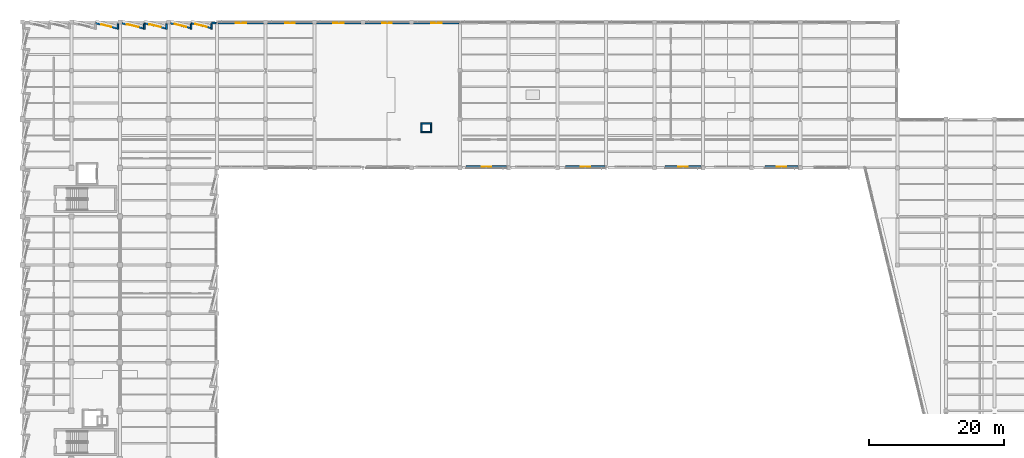
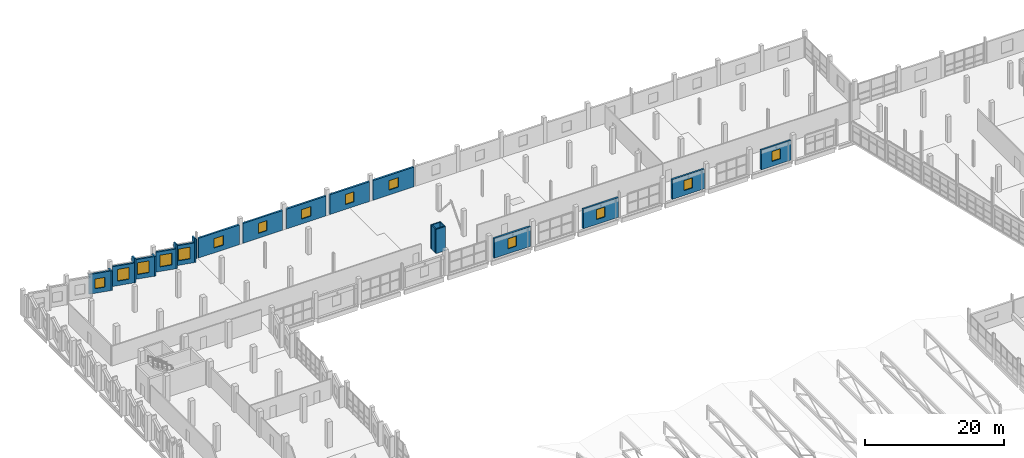
# One storey, part 95 of 123: 24 walls, 14 windows, 14 openings.
"""IFC4 building model written with IfcOpenShell, lengths in metres."""

from ifc_helpers import new_model, si_unit, direction, frame, frame_2d, origin, place, context, subcontext, project, spatial, rectangle, extrude, material, layer, layer_set, type_object, element, fill, save


model = new_model("IFC4")

# Units and contexts
model_context = context("Model", 3, precision=1e-05, world=origin(), true_north=direction((0.0, 1.0)))
body_context = subcontext(model_context, "Body", "Model", "MODEL_VIEW")
ifc_project = project(units=[si_unit("LENGTHUNIT", "METRE"), si_unit("AREAUNIT", "SQUARE_METRE"), si_unit("VOLUMEUNIT", "CUBIC_METRE"), si_unit("PLANEANGLEUNIT", "RADIAN"), si_unit("MASSUNIT", "GRAM", prefix="KILO")], contexts=[model_context])

# Site, building, storey
site_placement = place(None, origin())
site = spatial("IfcSite", under=ifc_project, at=site_placement, CompositionType="ELEMENT")
building_placement = place(site_placement, origin())
building = spatial("IfcBuilding", under=site, at=building_placement, Name="Kalmorath City Hall", CompositionType="ELEMENT")
storey_placement = place(building_placement, frame((0.0, 0.0, 10.199951171875)))
storey = spatial("IfcBuildingStorey", under=building, at=storey_placement, Name="L02", CompositionType="ELEMENT", Elevation=10.199951171875)

# Walls
ifc_material_1 = material(Name="Concrete C40/50", Category="concrete")
ifc_layer_1 = layer(ifc_material_1, 0.199951171875)
ifc_layer_set_1 = layer_set([ifc_layer_1], Name="Concrete C40/50")
wall_type_1 = type_object("IfcWallType", Name="Concrete service riser wall 200", PredefinedType="SOLIDWALL", material=ifc_layer_set_1)
for number, where, z_axis, x_axis, name in (
    (1, (59.0, 98.89990234375, 0.0), (0.0, 0.0, 1.0), (1.0, 0.0, 0.0), "L02 RSR-4 riser shaft wall S"),
    (2, (60.60009765625, 100.179931640625, 0.0), (0.0, 0.0, 1.0), (-1.0, 0.0, 0.0), "L02 RSR-4 riser shaft wall N"),
):
    element("IfcWall", number, at=place(storey_placement, frame(where, z_axis=z_axis, x_axis=x_axis)), inside=storey, type_object=wall_type_1, Name=name, PredefinedType="SOLIDWALL", context=body_context, shape_type="SweptSolid", body=[
        extrude(rectangle(XDim=1.60009765625, YDim=0.199951171875, at=frame_2d((0.800048828125, 0.0))), origin(), (0.0, 0.0, 1.0), 4.239990234375),
    ])
for number, where, z_axis, x_axis, name in (
    (3, (59.10009765625, 100.080078125, 0.0), (0.0, 0.0, 1.0), (0.0, -1.0, 0.0), "L02 RSR-4 riser shaft wall W"),
    (4, (60.5, 99.0, 0.0), (0.0, 0.0, 1.0), (0.0, 1.0, 0.0), "L02 RSR-4 riser shaft wall E"),
):
    element("IfcWall", number, at=place(storey_placement, frame(where, z_axis=z_axis, x_axis=x_axis)), inside=storey, type_object=wall_type_1, Name=name, PredefinedType="SOLIDWALL", context=body_context, shape_type="SweptSolid", body=[
        extrude(rectangle(XDim=1.080078125, YDim=0.199951171875, at=frame_2d((0.5400390625, 0.0))), origin(), (0.0, 0.0, 1.0), 4.239990234375),
    ])
ifc_material_2 = material(Name="Precast concrete C40/50", Category="concrete")
ifc_layer_2 = layer(ifc_material_2, 0.239990234375)
ifc_layer_set_2 = layer_set([ifc_layer_2], Name="Precast concrete C40/50")
wall_type_2 = type_object("IfcWallType", Name="Precast sawtooth cheek wall 240", PredefinedType="SOLIDWALL", material=ifc_layer_set_2)
wall_1_placement = place(storey_placement, frame((14.09912109375, 114.10302734375, 0.0), z_axis=(0.0, 0.0, 1.0), x_axis=(0.0, 1.0, 0.0)))
element("IfcWall", 5, at=wall_1_placement, inside=storey, type_object=wall_type_2, Name="L02 sawtooth return cheek #422", PredefinedType="SOLIDWALL", context=body_context, shape_type="SweptSolid", body=[
    extrude(rectangle(XDim=0.804931640625, YDim=0.239990234375, at=frame_2d((0.40234375, 0.0))), origin(), (0.0, 0.0, 1.0), 3.450927734375),
])
wall_2_placement = place(storey_placement, frame((18.0, 114.10302734375, 0.0), z_axis=(0.0, 0.0, 1.0), x_axis=(0.0, 1.0, 0.0)))
element("IfcWall", 6, at=wall_2_placement, inside=storey, type_object=wall_type_2, Name="L02 sawtooth return cheek #424", PredefinedType="SOLIDWALL", context=body_context, shape_type="SweptSolid", body=[
    extrude(rectangle(XDim=0.804931640625, YDim=0.239990234375, at=frame_2d((0.40234375, 0.0))), origin(), (0.0, 0.0, 1.0), 4.239990234375),
])
wall_3_placement = place(storey_placement, frame((21.299072265625, 114.10302734375, 0.0), z_axis=(0.0, 0.0, 1.0), x_axis=(0.0, 1.0, 0.0)))
element("IfcWall", 7, at=wall_3_placement, inside=storey, type_object=wall_type_2, Name="L02 sawtooth return cheek #426", PredefinedType="SOLIDWALL", context=body_context, shape_type="SweptSolid", body=[
    extrude(rectangle(XDim=0.804931640625, YDim=0.239990234375, at=frame_2d((0.40234375, 0.0))), origin(), (0.0, 0.0, 1.0), 3.450927734375),
])
wall_4_placement = place(storey_placement, frame((24.946533203125, 114.163818359375, 0.0), z_axis=(0.0, 0.0, 1.0), x_axis=(0.0, 1.0, 0.0)))
element("IfcWall", 8, at=wall_4_placement, inside=storey, type_object=wall_type_2, Name="L02 sawtooth return cheek #429", PredefinedType="SOLIDWALL", context=body_context, shape_type="SweptSolid", body=[
    extrude(rectangle(XDim=0.744140625, YDim=0.239990234375, at=frame_2d((0.3720703125, 0.0))), origin(), (0.0, 0.0, 1.0), 4.239990234375),
])
wall_5_placement = place(storey_placement, frame((27.991943359375, 114.163818359375, 0.0), z_axis=(0.0, 0.0, 1.0), x_axis=(0.0, 1.0, 0.0)))
element("IfcWall", 9, at=wall_5_placement, inside=storey, type_object=wall_type_2, Name="L02 sawtooth return cheek #431", PredefinedType="SOLIDWALL", context=body_context, shape_type="SweptSolid", body=[
    extrude(rectangle(XDim=0.754150390625, YDim=0.239990234375, at=frame_2d((0.376953125, 0.0))), origin(), (0.0, 0.0, 1.0), 4.239990234375),
])

# Wall, opening, window
ifc_material_3 = material(Name="Precast concrete C40/50", Category="concrete")
ifc_layer_3 = layer(ifc_material_3, 0.280029296875)
ifc_layer_set_3 = layer_set([ifc_layer_3], Name="Precast concrete C40/50")
wall_type_3 = type_object("IfcWallType", Name="Precast sawtooth facade wall 280", PredefinedType="SOLIDWALL", material=ifc_layer_set_3)
wall_6_placement = place(storey_placement, frame((10.800048828125, 115.0400390625, 0.0), z_axis=(0.0, 0.0, 1.0), x_axis=(0.972373187667, -0.23343175428, 0.0)))
wall_6 = element("IfcWall", 10, at=wall_6_placement, inside=storey, type_object=wall_type_3, Name="L02 sawtooth precast frame #421", PredefinedType="SOLIDWALL", context=body_context, shape_type="SweptSolid", body=[
    extrude(rectangle(XDim=3.297607421875, YDim=0.280029296875, at=frame_2d((1.64892578125, 0.0))), origin(), (0.0, 0.0, 1.0), 3.450927734375),
])
opening_1_placement = place(wall_6_placement, frame((0.89892578125, 0.0, 0.800048828125)))
opening_1 = element("IfcOpeningElement", 11, at=opening_1_placement, cuts=wall_6, Name="Opening WN7", PredefinedType="OPENING", context=body_context, shape_type="SweptSolid", body=[
    extrude(rectangle(XDim=1.5, YDim=1.699951171875, at=frame_2d((0.75, 0.85009765625))), frame((0.0, 0.14990234375, 0.0), z_axis=(0.0, -1.0, 0.0), x_axis=(1.0, 0.0, 0.0)), (0.0, 0.0, 1.0), 0.300048828125),
])
ifc_material_4 = material(Name="Aluminium and laminated glass", Category="aluminium")
window_type_1 = type_object("IfcWindowType", Name="Sawtooth top storey window 1500x1700", PartitioningType="SINGLE_PANEL", PredefinedType="WINDOW", material=ifc_material_4)
window_1_placement = place(opening_1_placement, origin())
window_1 = element("IfcWindow", 12, at=window_1_placement, inside=storey, type_object=window_type_1, Name="L02 window WN7-202", OverallHeight=1.699951171875, OverallWidth=1.5, PartitioningType="SINGLE_PANEL", PredefinedType="WINDOW", context=body_context, shape_type="SweptSolid", body=[
    extrude(rectangle(XDim=1.5, YDim=1.699951171875, at=frame_2d((0.75, 0.85009765625))), frame((0.0, 0.030029296875, 0.0), z_axis=(0.0, -1.0, 0.0), x_axis=(1.0, 0.0, 0.0)), (0.0, 0.0, 1.0), 0.06005859375),
])
fill(opening_1, window_1)

wall_7_placement = place(storey_placement, frame((14.700927734375, 115.0400390625, 0.0), z_axis=(0.0, 0.0, 1.0), x_axis=(0.972377221417, -0.233414950828, 0.0)))
wall_7 = element("IfcWall", 13, at=wall_7_placement, inside=storey, type_object=wall_type_3, Name="L02 sawtooth precast frame #423", PredefinedType="SOLIDWALL", context=body_context, shape_type="SweptSolid", body=[
    extrude(rectangle(XDim=3.2978515625, YDim=0.280029296875, at=frame_2d((1.64892578125, 0.0))), origin(), (0.0, 0.0, 1.0), 3.470947265625),
])
opening_2_placement = place(wall_7_placement, frame((0.77392578125, 0.0, 0.800048828125)))
opening_2 = element("IfcOpeningElement", 14, at=opening_2_placement, cuts=wall_7, Name="Opening WN1", PredefinedType="OPENING", context=body_context, shape_type="SweptSolid", body=[
    extrude(rectangle(XDim=1.75, YDim=2.050048828125, at=frame_2d((0.875, 1.02490234375))), frame((0.0, 0.14990234375, 0.0), z_axis=(0.0, -1.0, 0.0), x_axis=(1.0, 0.0, 0.0)), (0.0, 0.0, 1.0), 0.300048828125),
])
ifc_material_5 = material(Name="Aluminium and laminated glass", Category="aluminium")
window_type_2 = type_object("IfcWindowType", Name="Sawtooth hurricane window 1750x2050", PartitioningType="SINGLE_PANEL", PredefinedType="WINDOW", material=ifc_material_5)
window_2_placement = place(opening_2_placement, origin())
window_2 = element("IfcWindow", 15, at=window_2_placement, inside=storey, type_object=window_type_2, Name="L02 window WN1-203", OverallHeight=2.050048828125, OverallWidth=1.75, PartitioningType="SINGLE_PANEL", PredefinedType="WINDOW", context=body_context, shape_type="SweptSolid", body=[
    extrude(rectangle(XDim=1.75, YDim=2.050048828125, at=frame_2d((0.875, 1.02490234375))), frame((0.0, 0.030029296875, 0.0), z_axis=(0.0, -1.0, 0.0), x_axis=(1.0, 0.0, 0.0)), (0.0, 0.0, 1.0), 0.06005859375),
])
fill(opening_2, window_2)

wall_8_placement = place(storey_placement, frame((18.0, 115.0400390625, 0.0), z_axis=(0.0, 0.0, 1.0), x_axis=(0.972373187667, -0.23343175428, 0.0)))
wall_8 = element("IfcWall", 16, at=wall_8_placement, inside=storey, type_object=wall_type_3, Name="L02 sawtooth precast frame #425", PredefinedType="SOLIDWALL", context=body_context, shape_type="SweptSolid", body=[
    extrude(rectangle(XDim=3.297607421875, YDim=0.280029296875, at=frame_2d((1.64892578125, 0.0))), origin(), (0.0, 0.0, 1.0), 3.450927734375),
])
opening_3_placement = place(wall_8_placement, frame((0.77392578125, 0.0, 0.800048828125)))
opening_3 = element("IfcOpeningElement", 17, at=opening_3_placement, cuts=wall_8, Name="Opening WN1", PredefinedType="OPENING", context=body_context, shape_type="SweptSolid", body=[
    extrude(rectangle(XDim=1.75, YDim=2.050048828125, at=frame_2d((0.875, 1.02490234375))), frame((0.0, 0.14990234375, 0.0), z_axis=(0.0, -1.0, 0.0), x_axis=(1.0, 0.0, 0.0)), (0.0, 0.0, 1.0), 0.300048828125),
])
window_3_placement = place(opening_3_placement, origin())
window_3 = element("IfcWindow", 18, at=window_3_placement, inside=storey, type_object=window_type_2, Name="L02 window WN1-204", OverallHeight=2.050048828125, OverallWidth=1.75, PartitioningType="SINGLE_PANEL", PredefinedType="WINDOW", context=body_context, shape_type="SweptSolid", body=[
    extrude(rectangle(XDim=1.75, YDim=2.050048828125, at=frame_2d((0.875, 1.02490234375))), frame((0.0, 0.030029296875, 0.0), z_axis=(0.0, -1.0, 0.0), x_axis=(1.0, 0.0, 0.0)), (0.0, 0.0, 1.0), 0.06005859375),
])
fill(opening_3, window_3)

wall_9_placement = place(storey_placement, frame((21.90087890625, 115.0400390625, 0.0), z_axis=(0.0, 0.0, 1.0), x_axis=(0.972369786639, -0.233445920999, 0.0)))
wall_9 = element("IfcWall", 19, at=wall_9_placement, inside=storey, type_object=wall_type_3, Name="L02 sawtooth precast frame #428", PredefinedType="SOLIDWALL", context=body_context, shape_type="SweptSolid", body=[
    extrude(rectangle(XDim=3.037109375, YDim=0.280029296875, at=frame_2d((1.5185546875, 0.0))), origin(), (0.0, 0.0, 1.0), 3.470947265625),
])
opening_4_placement = place(wall_9_placement, frame((0.6435546875, 0.0, 0.800048828125)))
opening_4 = element("IfcOpeningElement", 20, at=opening_4_placement, cuts=wall_9, Name="Opening WN1", PredefinedType="OPENING", context=body_context, shape_type="SweptSolid", body=[
    extrude(rectangle(XDim=1.75, YDim=2.050048828125, at=frame_2d((0.875, 1.02490234375))), frame((0.0, 0.14990234375, 0.0), z_axis=(0.0, -1.0, 0.0), x_axis=(1.0, 0.0, 0.0)), (0.0, 0.0, 1.0), 0.300048828125),
])
window_4_placement = place(opening_4_placement, origin())
window_4 = element("IfcWindow", 21, at=window_4_placement, inside=storey, type_object=window_type_2, Name="L02 window WN1-205", OverallHeight=2.050048828125, OverallWidth=1.75, PartitioningType="SINGLE_PANEL", PredefinedType="WINDOW", context=body_context, shape_type="SweptSolid", body=[
    extrude(rectangle(XDim=1.75, YDim=2.050048828125, at=frame_2d((0.875, 1.02490234375))), frame((0.0, 0.030029296875, 0.0), z_axis=(0.0, -1.0, 0.0), x_axis=(1.0, 0.0, 0.0)), (0.0, 0.0, 1.0), 0.06005859375),
])
fill(opening_4, window_4)

wall_10_placement = place(storey_placement, frame((24.946533203125, 115.0400390625, 0.0), z_axis=(0.0, 0.0, 1.0), x_axis=(0.972369786639, -0.233445920999, 0.0)))
wall_10 = element("IfcWall", 22, at=wall_10_placement, inside=storey, type_object=wall_type_3, Name="L02 sawtooth precast frame #430", PredefinedType="SOLIDWALL", context=body_context, shape_type="SweptSolid", body=[
    extrude(rectangle(XDim=3.037109375, YDim=0.280029296875, at=frame_2d((1.5185546875, 0.0))), origin(), (0.0, 0.0, 1.0), 3.470947265625),
])
opening_5_placement = place(wall_10_placement, frame((0.6435546875, 0.0, 0.800048828125)))
opening_5 = element("IfcOpeningElement", 23, at=opening_5_placement, cuts=wall_10, Name="Opening WN1", PredefinedType="OPENING", context=body_context, shape_type="SweptSolid", body=[
    extrude(rectangle(XDim=1.75, YDim=2.050048828125, at=frame_2d((0.875, 1.02490234375))), frame((0.0, 0.14990234375, 0.0), z_axis=(0.0, -1.0, 0.0), x_axis=(1.0, 0.0, 0.0)), (0.0, 0.0, 1.0), 0.300048828125),
])
window_5_placement = place(opening_5_placement, origin())
window_5 = element("IfcWindow", 24, at=window_5_placement, inside=storey, type_object=window_type_2, Name="L02 window WN1-206", OverallHeight=2.050048828125, OverallWidth=1.75, PartitioningType="SINGLE_PANEL", PredefinedType="WINDOW", context=body_context, shape_type="SweptSolid", body=[
    extrude(rectangle(XDim=1.75, YDim=2.050048828125, at=frame_2d((0.875, 1.02490234375))), frame((0.0, 0.030029296875, 0.0), z_axis=(0.0, -1.0, 0.0), x_axis=(1.0, 0.0, 0.0)), (0.0, 0.0, 1.0), 0.06005859375),
])
fill(opening_5, window_5)

# Wall
ifc_material_6 = material(Name="Precast concrete C40/50", Category="concrete")
ifc_layer_4 = layer(ifc_material_6, 0.260009765625)
ifc_layer_set_4 = layer_set([ifc_layer_4], Name="Precast concrete C40/50")
wall_type_4 = type_object("IfcWallType", Name="Precast sawtooth return wall 260", PredefinedType="SOLIDWALL", material=ifc_layer_set_4)
wall_11_placement = place(storey_placement, frame((27.991943359375, 115.0400390625, 0.0), z_axis=(0.0, 0.0, 1.0), x_axis=(1.0, 0.0, 0.0)))
element("IfcWall", 25, at=wall_11_placement, inside=storey, type_object=wall_type_4, Name="L02 corner pier wall #427", PredefinedType="SOLIDWALL", context=body_context, shape_type="SweptSolid", body=[
    extrude(rectangle(XDim=0.68017578125, YDim=0.260009765625, at=frame_2d((0.340087890625, 0.0))), origin(), (0.0, 0.0, 1.0), 3.450927734375),
])

# Wall, opening, window
ifc_material_7 = material(Name="Concrete C40/50", Category="concrete")
ifc_layer_5 = layer(ifc_material_7, 0.300048828125)
ifc_layer_set_5 = layer_set([ifc_layer_5], Name="Concrete C40/50")
wall_type_5 = type_object("IfcWallType", Name="Volcanic basalt backup wall 300", PredefinedType="SOLIDWALL", material=ifc_layer_set_5)
wall_12_placement = place(storey_placement, frame((28.927978515625, 115.0400390625, 0.0), z_axis=(0.0, 0.0, 1.0), x_axis=(1.0, 0.0, 0.0)))
wall_12 = element("IfcWall", 26, at=wall_12_placement, inside=storey, type_object=wall_type_5, Name="L02 basalt wing wall #432", PredefinedType="SOLIDWALL", context=body_context, shape_type="SweptSolid", body=[
    extrude(rectangle(XDim=6.77099609375, YDim=0.300048828125, at=frame_2d((3.385498046875, 0.0))), origin(), (0.0, 0.0, 1.0), 3.450927734375),
])
opening_6_placement = place(wall_12_placement, frame((2.610595703125, 0.0, 0.85009765625)))
opening_6 = element("IfcOpeningElement", 27, at=opening_6_placement, cuts=wall_12, Name="Opening WN10", PredefinedType="OPENING", context=body_context, shape_type="SweptSolid", body=[
    extrude(rectangle(XDim=1.550048828125, YDim=1.64990234375, at=frame_2d((0.77490234375, 0.824951171875))), frame((0.0, 0.159912109375, 0.0), z_axis=(0.0, -1.0, 0.0), x_axis=(1.0, 0.0, 0.0)), (0.0, 0.0, 1.0), 0.320068359375),
])
ifc_material_8 = material(Name="Bronze-anodised aluminium and glass", Category="aluminium")
window_type_3 = type_object("IfcWindowType", Name="Basalt upper window 1550x1650", PartitioningType="SINGLE_PANEL", PredefinedType="WINDOW", material=ifc_material_8)
window_6_placement = place(opening_6_placement, origin())
window_6 = element("IfcWindow", 28, at=window_6_placement, inside=storey, type_object=window_type_3, Name="L02 window WN10-207", OverallHeight=1.64990234375, OverallWidth=1.550048828125, PartitioningType="SINGLE_PANEL", PredefinedType="WINDOW", context=body_context, shape_type="SweptSolid", body=[
    extrude(rectangle(XDim=1.550048828125, YDim=1.64990234375, at=frame_2d((0.77490234375, 0.824951171875))), frame((0.0, 0.030029296875, 0.0), z_axis=(0.0, -1.0, 0.0), x_axis=(1.0, 0.0, 0.0)), (0.0, 0.0, 1.0), 0.06005859375),
])
fill(opening_6, window_6)

wall_13_placement = place(storey_placement, frame((36.301025390625, 115.0400390625, 0.0), z_axis=(0.0, 0.0, 1.0), x_axis=(1.0, 0.0, 0.0)))
wall_13 = element("IfcWall", 29, at=wall_13_placement, inside=storey, type_object=wall_type_5, Name="L02 basalt wing wall #433", PredefinedType="SOLIDWALL", context=body_context, shape_type="SweptSolid", body=[
    extrude(rectangle(XDim=6.597900390625, YDim=0.300048828125, at=frame_2d((3.298828125, 0.0))), origin(), (0.0, 0.0, 1.0), 3.470947265625),
])
opening_7_placement = place(wall_13_placement, frame((2.59912109375, 0.0, 0.85009765625)))
opening_7 = element("IfcOpeningElement", 30, at=opening_7_placement, cuts=wall_13, Name="Opening WN11", PredefinedType="OPENING", context=body_context, shape_type="SweptSolid", body=[
    extrude(rectangle(XDim=1.39990234375, YDim=1.75, at=frame_2d((0.699951171875, 0.875))), frame((0.0, 0.159912109375, 0.0), z_axis=(0.0, -1.0, 0.0), x_axis=(1.0, 0.0, 0.0)), (0.0, 0.0, 1.0), 0.320068359375),
])
ifc_material_9 = material(Name="Bronze-anodised aluminium and glass", Category="aluminium")
window_type_4 = type_object("IfcWindowType", Name="Basalt north study window 1400x1750", PartitioningType="SINGLE_PANEL", PredefinedType="WINDOW", material=ifc_material_9)
window_7_placement = place(opening_7_placement, origin())
window_7 = element("IfcWindow", 31, at=window_7_placement, inside=storey, type_object=window_type_4, Name="L02 window WN11-208", OverallHeight=1.75, OverallWidth=1.39990234375, PartitioningType="SINGLE_PANEL", PredefinedType="WINDOW", context=body_context, shape_type="SweptSolid", body=[
    extrude(rectangle(XDim=1.39990234375, YDim=1.75, at=frame_2d((0.699951171875, 0.875))), frame((0.0, 0.030029296875, 0.0), z_axis=(0.0, -1.0, 0.0), x_axis=(1.0, 0.0, 0.0)), (0.0, 0.0, 1.0), 0.06005859375),
])
fill(opening_7, window_7)

wall_14_placement = place(storey_placement, frame((43.5009765625, 115.0400390625, 0.0), z_axis=(0.0, 0.0, 1.0), x_axis=(1.0, 0.0, 0.0)))
wall_14 = element("IfcWall", 32, at=wall_14_placement, inside=storey, type_object=wall_type_5, Name="L02 basalt wing wall #434", PredefinedType="SOLIDWALL", context=body_context, shape_type="SweptSolid", body=[
    extrude(rectangle(XDim=6.59814453125, YDim=0.300048828125, at=frame_2d((3.299072265625, 0.0))), origin(), (0.0, 0.0, 1.0), 3.470947265625),
])
opening_8_placement = place(wall_14_placement, frame((2.52392578125, 0.0, 0.85009765625)))
opening_8 = element("IfcOpeningElement", 33, at=opening_8_placement, cuts=wall_14, Name="Opening WN10", PredefinedType="OPENING", context=body_context, shape_type="SweptSolid", body=[
    extrude(rectangle(XDim=1.550048828125, YDim=1.64990234375, at=frame_2d((0.77490234375, 0.824951171875))), frame((0.0, 0.159912109375, 0.0), z_axis=(0.0, -1.0, 0.0), x_axis=(1.0, 0.0, 0.0)), (0.0, 0.0, 1.0), 0.320068359375),
])
window_8_placement = place(opening_8_placement, origin())
window_8 = element("IfcWindow", 34, at=window_8_placement, inside=storey, type_object=window_type_3, Name="L02 window WN10-209", OverallHeight=1.64990234375, OverallWidth=1.550048828125, PartitioningType="SINGLE_PANEL", PredefinedType="WINDOW", context=body_context, shape_type="SweptSolid", body=[
    extrude(rectangle(XDim=1.550048828125, YDim=1.64990234375, at=frame_2d((0.77490234375, 0.824951171875))), frame((0.0, 0.030029296875, 0.0), z_axis=(0.0, -1.0, 0.0), x_axis=(1.0, 0.0, 0.0)), (0.0, 0.0, 1.0), 0.06005859375),
])
fill(opening_8, window_8)

wall_15_placement = place(storey_placement, frame((50.700927734375, 115.0400390625, 0.0), z_axis=(0.0, 0.0, 1.0), x_axis=(1.0, 0.0, 0.0)))
wall_15 = element("IfcWall", 35, at=wall_15_placement, inside=storey, type_object=wall_type_5, Name="L02 basalt wing wall #435", PredefinedType="SOLIDWALL", context=body_context, shape_type="SweptSolid", body=[
    extrude(rectangle(XDim=6.59814453125, YDim=0.300048828125, at=frame_2d((3.299072265625, 0.0))), origin(), (0.0, 0.0, 1.0), 3.470947265625),
])
opening_9_placement = place(wall_15_placement, frame((2.59912109375, 0.0, 0.85009765625)))
opening_9 = element("IfcOpeningElement", 36, at=opening_9_placement, cuts=wall_15, Name="Opening WN11", PredefinedType="OPENING", context=body_context, shape_type="SweptSolid", body=[
    extrude(rectangle(XDim=1.39990234375, YDim=1.75, at=frame_2d((0.699951171875, 0.875))), frame((0.0, 0.159912109375, 0.0), z_axis=(0.0, -1.0, 0.0), x_axis=(1.0, 0.0, 0.0)), (0.0, 0.0, 1.0), 0.320068359375),
])
window_9_placement = place(opening_9_placement, origin())
window_9 = element("IfcWindow", 37, at=window_9_placement, inside=storey, type_object=window_type_4, Name="L02 window WN11-210", OverallHeight=1.75, OverallWidth=1.39990234375, PartitioningType="SINGLE_PANEL", PredefinedType="WINDOW", context=body_context, shape_type="SweptSolid", body=[
    extrude(rectangle(XDim=1.39990234375, YDim=1.75, at=frame_2d((0.699951171875, 0.875))), frame((0.0, 0.030029296875, 0.0), z_axis=(0.0, -1.0, 0.0), x_axis=(1.0, 0.0, 0.0)), (0.0, 0.0, 1.0), 0.06005859375),
])
fill(opening_9, window_9)

wall_16_placement = place(storey_placement, frame((57.90087890625, 115.0400390625, 0.0), z_axis=(0.0, 0.0, 1.0), x_axis=(1.0, 0.0, 0.0)))
wall_16 = element("IfcWall", 38, at=wall_16_placement, inside=storey, type_object=wall_type_5, Name="L02 basalt wing wall #436", PredefinedType="SOLIDWALL", context=body_context, shape_type="SweptSolid", body=[
    extrude(rectangle(XDim=6.771240234375, YDim=0.300048828125, at=frame_2d((3.3857421875, 0.0))), origin(), (0.0, 0.0, 1.0), 3.450927734375),
])
opening_10_placement = place(wall_16_placement, frame((2.610595703125, 0.0, 0.85009765625)))
opening_10 = element("IfcOpeningElement", 39, at=opening_10_placement, cuts=wall_16, Name="Opening WN10", PredefinedType="OPENING", context=body_context, shape_type="SweptSolid", body=[
    extrude(rectangle(XDim=1.550048828125, YDim=1.64990234375, at=frame_2d((0.77490234375, 0.824951171875))), frame((0.0, 0.159912109375, 0.0), z_axis=(0.0, -1.0, 0.0), x_axis=(1.0, 0.0, 0.0)), (0.0, 0.0, 1.0), 0.320068359375),
])
window_10_placement = place(opening_10_placement, origin())
window_10 = element("IfcWindow", 40, at=window_10_placement, inside=storey, type_object=window_type_3, Name="L02 window WN10-211", OverallHeight=1.64990234375, OverallWidth=1.550048828125, PartitioningType="SINGLE_PANEL", PredefinedType="WINDOW", context=body_context, shape_type="SweptSolid", body=[
    extrude(rectangle(XDim=1.550048828125, YDim=1.64990234375, at=frame_2d((0.77490234375, 0.824951171875))), frame((0.0, 0.030029296875, 0.0), z_axis=(0.0, -1.0, 0.0), x_axis=(1.0, 0.0, 0.0)), (0.0, 0.0, 1.0), 0.06005859375),
])
fill(opening_10, window_10)

wall_17_placement = place(storey_placement, frame((114.89892578125, 93.760009765625, 0.0), z_axis=(0.0, 0.0, 1.0), x_axis=(-1.0, 0.0, 0.0)))
wall_17 = element("IfcWall", 41, at=wall_17_placement, inside=storey, type_object=wall_type_5, Name="L02 basalt wing wall #471", PredefinedType="SOLIDWALL", context=body_context, shape_type="SweptSolid", body=[
    extrude(rectangle(XDim=4.953125, YDim=0.300048828125, at=frame_2d((2.4765625, 0.0))), origin(), (0.0, 0.0, 1.0), 3.470947265625),
])
opening_11_placement = place(wall_17_placement, frame((1.776611328125, 0.0, 0.85009765625)))
opening_11 = element("IfcOpeningElement", 42, at=opening_11_placement, cuts=wall_17, Name="Opening WN11", PredefinedType="OPENING", context=body_context, shape_type="SweptSolid", body=[
    extrude(rectangle(XDim=1.39990234375, YDim=1.75, at=frame_2d((0.699951171875, 0.875))), frame((0.0, 0.159912109375, 0.0), z_axis=(0.0, -1.0, 0.0), x_axis=(1.0, 0.0, 0.0)), (0.0, 0.0, 1.0), 0.320068359375),
])
window_11_placement = place(opening_11_placement, origin())
window_11 = element("IfcWindow", 43, at=window_11_placement, inside=storey, type_object=window_type_4, Name="L02 window WN11-246", OverallHeight=1.75, OverallWidth=1.39990234375, PartitioningType="SINGLE_PANEL", PredefinedType="WINDOW", context=body_context, shape_type="SweptSolid", body=[
    extrude(rectangle(XDim=1.39990234375, YDim=1.75, at=frame_2d((0.699951171875, 0.875))), frame((0.0, 0.030029296875, 0.0), z_axis=(0.0, -1.0, 0.0), x_axis=(1.0, 0.0, 0.0)), (0.0, 0.0, 1.0), 0.06005859375),
])
fill(opening_11, window_11)

wall_18_placement = place(storey_placement, frame((100.4990234375, 93.760009765625, 0.0), z_axis=(0.0, 0.0, 1.0), x_axis=(-1.0, 0.0, 0.0)))
wall_18 = element("IfcWall", 44, at=wall_18_placement, inside=storey, type_object=wall_type_5, Name="L02 basalt wing wall #472", PredefinedType="SOLIDWALL", context=body_context, shape_type="SweptSolid", body=[
    extrude(rectangle(XDim=5.30712890625, YDim=0.300048828125, at=frame_2d((2.653564453125, 0.0))), origin(), (0.0, 0.0, 1.0), 3.470947265625),
])
opening_12_placement = place(wall_18_placement, frame((1.95361328125, 0.0, 0.85009765625)))
opening_12 = element("IfcOpeningElement", 45, at=opening_12_placement, cuts=wall_18, Name="Opening WN11", PredefinedType="OPENING", context=body_context, shape_type="SweptSolid", body=[
    extrude(rectangle(XDim=1.39990234375, YDim=1.75, at=frame_2d((0.699951171875, 0.875))), frame((0.0, 0.159912109375, 0.0), z_axis=(0.0, -1.0, 0.0), x_axis=(1.0, 0.0, 0.0)), (0.0, 0.0, 1.0), 0.320068359375),
])
window_12_placement = place(opening_12_placement, origin())
window_12 = element("IfcWindow", 46, at=window_12_placement, inside=storey, type_object=window_type_4, Name="L02 window WN11-247", OverallHeight=1.75, OverallWidth=1.39990234375, PartitioningType="SINGLE_PANEL", PredefinedType="WINDOW", context=body_context, shape_type="SweptSolid", body=[
    extrude(rectangle(XDim=1.39990234375, YDim=1.75, at=frame_2d((0.699951171875, 0.875))), frame((0.0, 0.030029296875, 0.0), z_axis=(0.0, -1.0, 0.0), x_axis=(1.0, 0.0, 0.0)), (0.0, 0.0, 1.0), 0.06005859375),
])
fill(opening_12, window_12)

wall_19_placement = place(storey_placement, frame((86.27197265625, 93.760009765625, 0.0), z_axis=(0.0, 0.0, 1.0), x_axis=(-1.0, 0.0, 0.0)))
wall_19 = element("IfcWall", 47, at=wall_19_placement, inside=storey, type_object=wall_type_5, Name="L02 basalt wing wall #473", PredefinedType="SOLIDWALL", context=body_context, shape_type="SweptSolid", body=[
    extrude(rectangle(XDim=5.833740234375, YDim=0.300048828125, at=frame_2d((2.9169921875, 0.0))), origin(), (0.0, 0.0, 1.0), 3.450927734375),
])
opening_13_placement = place(wall_19_placement, frame((2.216796875, 0.0, 0.85009765625)))
opening_13 = element("IfcOpeningElement", 48, at=opening_13_placement, cuts=wall_19, Name="Opening WN11", PredefinedType="OPENING", context=body_context, shape_type="SweptSolid", body=[
    extrude(rectangle(XDim=1.39990234375, YDim=1.75, at=frame_2d((0.699951171875, 0.875))), frame((0.0, 0.159912109375, 0.0), z_axis=(0.0, -1.0, 0.0), x_axis=(1.0, 0.0, 0.0)), (0.0, 0.0, 1.0), 0.320068359375),
])
window_13_placement = place(opening_13_placement, origin())
window_13 = element("IfcWindow", 49, at=window_13_placement, inside=storey, type_object=window_type_4, Name="L02 window WN11-248", OverallHeight=1.75, OverallWidth=1.39990234375, PartitioningType="SINGLE_PANEL", PredefinedType="WINDOW", context=body_context, shape_type="SweptSolid", body=[
    extrude(rectangle(XDim=1.39990234375, YDim=1.75, at=frame_2d((0.699951171875, 0.875))), frame((0.0, 0.030029296875, 0.0), z_axis=(0.0, -1.0, 0.0), x_axis=(1.0, 0.0, 0.0)), (0.0, 0.0, 1.0), 0.06005859375),
])
fill(opening_13, window_13)

wall_20_placement = place(storey_placement, frame((71.698974609375, 93.760009765625, 0.0), z_axis=(0.0, 0.0, 1.0), x_axis=(-1.0, 0.0, 0.0)))
wall_20 = element("IfcWall", 50, at=wall_20_placement, inside=storey, type_object=wall_type_5, Name="L02 basalt wing wall #474", PredefinedType="SOLIDWALL", context=body_context, shape_type="SweptSolid", body=[
    extrude(rectangle(XDim=6.014404296875, YDim=0.300048828125, at=frame_2d((3.00732421875, 0.0))), origin(), (0.0, 0.0, 1.0), 3.470947265625),
])
opening_14_placement = place(wall_20_placement, frame((2.307373046875, 0.0, 0.85009765625)))
opening_14 = element("IfcOpeningElement", 51, at=opening_14_placement, cuts=wall_20, Name="Opening WN11", PredefinedType="OPENING", context=body_context, shape_type="SweptSolid", body=[
    extrude(rectangle(XDim=1.39990234375, YDim=1.75, at=frame_2d((0.699951171875, 0.875))), frame((0.0, 0.159912109375, 0.0), z_axis=(0.0, -1.0, 0.0), x_axis=(1.0, 0.0, 0.0)), (0.0, 0.0, 1.0), 0.320068359375),
])
window_14_placement = place(opening_14_placement, origin())
window_14 = element("IfcWindow", 52, at=window_14_placement, inside=storey, type_object=window_type_4, Name="L02 window WN11-249", OverallHeight=1.75, OverallWidth=1.39990234375, PartitioningType="SINGLE_PANEL", PredefinedType="WINDOW", context=body_context, shape_type="SweptSolid", body=[
    extrude(rectangle(XDim=1.39990234375, YDim=1.75, at=frame_2d((0.699951171875, 0.875))), frame((0.0, 0.030029296875, 0.0), z_axis=(0.0, -1.0, 0.0), x_axis=(1.0, 0.0, 0.0)), (0.0, 0.0, 1.0), 0.06005859375),
])
fill(opening_14, window_14)

save(model, "model.ifc")
